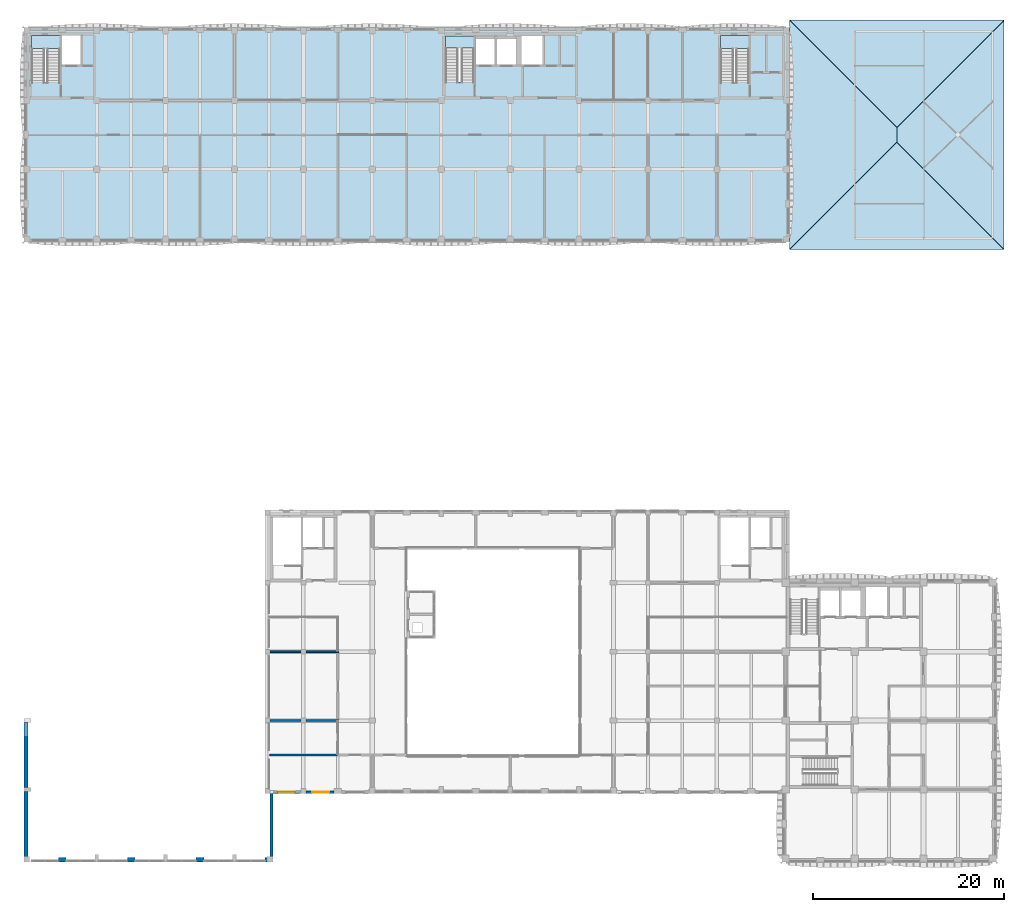
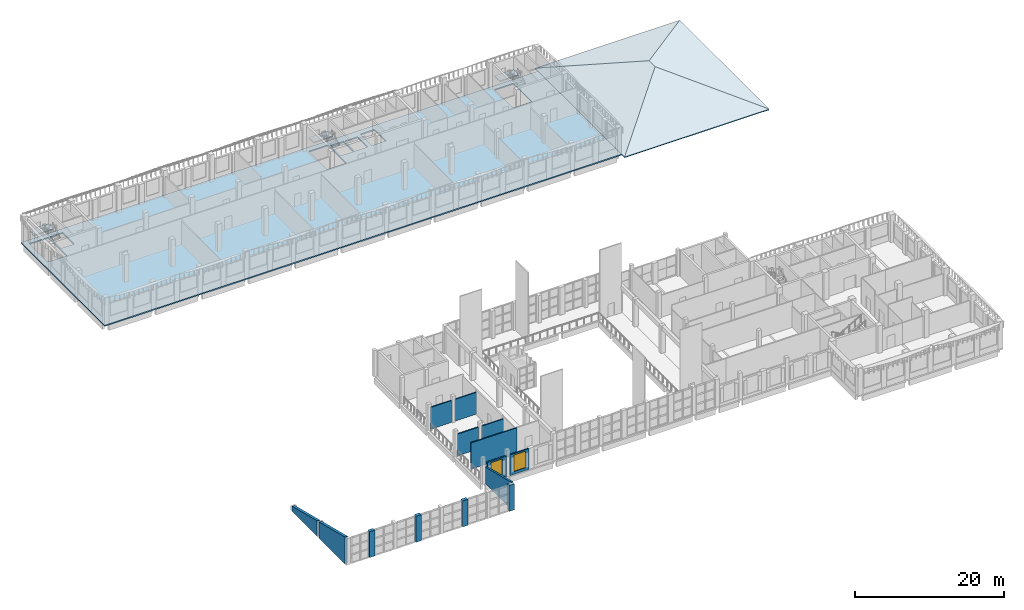
# One storey, part 17 of 54: 14 walls, 8 slabs, 2 windows, 2 openings, 3 elements without a shape of their own.
"""IFC4 building model written with IfcOpenShell, lengths in metres."""

from ifc_helpers import new_model, si_unit, direction, frame, frame_2d, origin, place, context, subcontext, project, spatial, polyline, rectangle, outline, extrude, material, layer, layer_set, type_object, element, fill, aggregate, save


model = new_model("IFC4")

# Units and contexts
model_context = context("Model", 3, precision=1e-05, world=origin(), true_north=direction((0.0, 1.0)))
body_context = subcontext(model_context, "Body", "Model", "MODEL_VIEW")
ifc_project = project(units=[si_unit("LENGTHUNIT", "METRE"), si_unit("AREAUNIT", "SQUARE_METRE"), si_unit("VOLUMEUNIT", "CUBIC_METRE"), si_unit("PLANEANGLEUNIT", "RADIAN"), si_unit("MASSUNIT", "GRAM", prefix="KILO")], contexts=[model_context])

# Site, building, storey
site_placement = place(None, origin())
site = spatial("IfcSite", under=ifc_project, at=site_placement, CompositionType="ELEMENT")
building_placement = place(site_placement, origin())
building = spatial("IfcBuilding", under=site, at=building_placement, Name="Ussher Court Research Institute", CompositionType="ELEMENT")
storey_placement = place(building_placement, frame((0.0, 0.0, 14.39990234375)))
storey = spatial("IfcBuildingStorey", under=building, at=storey_placement, Name="L03", CompositionType="ELEMENT", Elevation=14.39990234375)

# Slabs
ifc_material_1 = material(Name="Concrete C35/45", Category="concrete")
ifc_layer_1 = layer(ifc_material_1, 0.199951171875)
ifc_layer_set_1 = layer_set([ifc_layer_1], Name="Concrete C35/45")
slab_type_1 = type_object("IfcSlabType", Name="Floor slab 200", PredefinedType="FLOOR", material=ifc_layer_set_1)
slab_1_placement = place(storey_placement, frame((0.0, 0.0, -0.199951171875)))
element("IfcSlab", 1, at=slab_1_placement, inside=storey, type_object=slab_type_1, Name="FS200 V5 L03-01", PredefinedType="FLOOR", context=body_context, shape_type="SweptSolid", body=[
    extrude(outline(polyline([(82.60009765625, 90.800048828125), (2.60009765625, 90.800048828125), (2.60009765625, 68.39990234375), (82.60009765625, 68.39990234375), (82.60009765625, 90.800048828125)]), holes=[polyline([(3.39990234375, 85.050048828125), (3.39990234375, 90.0), (6.35009765625, 90.0), (6.35009765625, 85.050048828125), (3.39990234375, 85.050048828125)]), polyline([(46.64990234375, 85.10009765625), (46.64990234375, 89.949951171875), (49.60009765625, 89.949951171875), (49.60009765625, 85.10009765625), (46.64990234375, 85.10009765625)]), polyline([(51.800048828125, 86.89990234375), (49.800048828125, 86.89990234375), (49.800048828125, 89.60009765625), (51.800048828125, 89.60009765625), (51.800048828125, 86.89990234375)]), polyline([(54.0, 86.89990234375), (52.0, 86.89990234375), (52.0, 89.60009765625), (54.0, 89.60009765625), (54.0, 86.89990234375)]), polyline([(56.800048828125, 86.89990234375), (54.60009765625, 86.89990234375), (54.60009765625, 89.949951171875), (56.800048828125, 89.949951171875), (56.800048828125, 86.89990234375)]), polyline([(8.550048828125, 86.89990234375), (6.550048828125, 86.89990234375), (6.550048828125, 90.0), (8.550048828125, 90.0), (8.550048828125, 86.89990234375)]), polyline([(75.39990234375, 85.050048828125), (75.39990234375, 90.0), (78.35009765625, 90.0), (78.35009765625, 85.050048828125), (75.39990234375, 85.050048828125)])]), origin(), (0.0, 0.0, 1.0), 0.199951171875),
])
ifc_material_2 = material(Name="Concrete C35/45", Category="concrete")
ifc_layer_2 = layer(ifc_material_2, 0.179931640625)
ifc_layer_set_2 = layer_set([ifc_layer_2], Name="Concrete C35/45")
slab_type_2 = type_object("IfcSlabType", Name="Hipped roof plate 180", PredefinedType="ROOF", material=ifc_layer_set_2)
slab_2_placement = place(storey_placement, frame((82.60009765625, 67.60009765625, 0.0), z_axis=(0.0, -0.342035798071, 0.939686922777), x_axis=(1.0, 0.0, 0.0)))
element("IfcSlab", 2, at=slab_2_placement, inside=storey, type_object=slab_type_2, Name="HP180 V3 L03-01", PredefinedType="ROOF", context=body_context, shape_type="SweptSolid", body=[
    extrude(outline(polyline([(0.0, 0.0), (22.39990234375, 0.0), (11.199951171875, 11.918811361958056), (0.0, 0.0)])), origin(), (0.0, 0.0, -1.0), 0.179931640625),
])
slab_3_placement = place(storey_placement, frame((105.0, 67.60009765625, 0.0), z_axis=(0.342035798071, 0.0, 0.939686922777), x_axis=(0.0, 1.0, 0.0)))
element("IfcSlab", 3, at=slab_3_placement, inside=storey, type_object=slab_type_2, Name="HP180 V3 L03-02", PredefinedType="ROOF", context=body_context, shape_type="SweptSolid", body=[
    extrude(outline(polyline([(0.0, 0.0), (24.0, 0.0), (12.7998046875, 11.918811361958058), (11.199951171875, 11.918811361958058), (0.0, 0.0)])), origin(), (0.0, 0.0, -1.0), 0.179931640625),
])
slab_4_placement = place(storey_placement, frame((105.0, 91.60009765625, 0.0), z_axis=(0.0, 0.342029214614, 0.939689319057), x_axis=(-1.0, 0.0, 0.0)))
element("IfcSlab", 4, at=slab_4_placement, inside=storey, type_object=slab_type_2, Name="HP180 V3 L03-03", PredefinedType="ROOF", context=body_context, shape_type="SweptSolid", body=[
    extrude(outline(polyline([(0.0, 0.0), (22.39990234375, 0.0), (11.199951171875, 11.919040778003206), (0.0, 0.0)])), origin(), (0.0, 0.0, -1.0), 0.179931640625),
])
slab_5_placement = place(storey_placement, frame((82.60009765625, 91.60009765625, 0.0), z_axis=(-0.342035798071, 0.0, 0.939686922777), x_axis=(0.0, -1.0, 0.0)))
element("IfcSlab", 5, at=slab_5_placement, inside=storey, type_object=slab_type_2, Name="HP180 V3 L03-04", PredefinedType="ROOF", context=body_context, shape_type="SweptSolid", body=[
    extrude(outline(polyline([(0.0, 0.0), (24.0, 0.0), (12.800048828125, 11.918811361958058), (11.2001953125, 11.918811361958058), (0.0, 0.0)])), origin(), (0.0, 0.0, -1.0), 0.179931640625),
])

# Stair, slab
ifc_material_3 = material(Name="Concrete C35/45", Category="concrete")
stair_type_1 = type_object("IfcStairType", Name="Core stair 26 risers 173 mm x 300 going 1280 wide", PredefinedType="HALF_TURN_STAIR", material=ifc_material_3)
stair_1_placement = place(storey_placement, origin())
stair_1 = element("IfcStair", 6, at=stair_1_placement, inside=storey, type_object=stair_type_1, Name="L03 Stair D2", PredefinedType="HALF_TURN_STAIR")
ifc_material_4 = material(Name="Concrete C35/45", Category="concrete")
ifc_layer_3 = layer(ifc_material_4, 0.199951171875)
ifc_layer_set_3 = layer_set([ifc_layer_3], Name="Concrete C35/45")
slab_type_3 = type_object("IfcSlabType", Name="Stair landing 200 RC", PredefinedType="LANDING", material=ifc_layer_set_3)
slab_6_placement = place(storey_placement, frame((0.0, 0.0, 2.050048828125)))
slab_6 = element("IfcSlab", 7, at=slab_6_placement, type_object=slab_type_3, Name="D2 landing 1", PredefinedType="LANDING", context=body_context, shape_type="SweptSolid", body=[
    extrude(outline(polyline([(49.60009765625, 88.64990234375), (49.60009765625, 89.949951171875), (46.64990234375, 89.949951171875), (46.64990234375, 88.64990234375), (49.60009765625, 88.64990234375)])), origin(), (0.0, 0.0, 1.0), 0.199951171875),
])
aggregate(stair_1, [slab_6])

ifc_material_5 = material(Name="Concrete C35/45", Category="concrete")
stair_type_2 = type_object("IfcStairType", Name="Core stair 26 risers 173 mm x 300 going 1350 wide", PredefinedType="HALF_TURN_STAIR", material=ifc_material_5)
stair_2_placement = place(storey_placement, origin())
stair_2 = element("IfcStair", 8, at=stair_2_placement, inside=storey, type_object=stair_type_2, Name="L03 Stair D1", PredefinedType="HALF_TURN_STAIR")
ifc_material_6 = material(Name="Concrete C35/45", Category="concrete")
ifc_layer_4 = layer(ifc_material_6, 0.239990234375)
ifc_layer_set_4 = layer_set([ifc_layer_4], Name="Concrete C35/45")
slab_type_4 = type_object("IfcSlabType", Name="Stair landing 240 RC", PredefinedType="LANDING", material=ifc_layer_set_4)
slab_7_placement = place(storey_placement, frame((0.0, 0.0, 2.050048828125)))
slab_7 = element("IfcSlab", 9, at=slab_7_placement, type_object=slab_type_4, Name="D1 landing 1", PredefinedType="LANDING", context=body_context, shape_type="SweptSolid", body=[
    extrude(outline(polyline([(6.35009765625, 88.60009765625), (6.35009765625, 90.0), (3.39990234375, 90.0), (3.39990234375, 88.60009765625), (6.35009765625, 88.60009765625)])), origin(), (0.0, 0.0, 1.0), 0.199951171875),
])
aggregate(stair_2, [slab_7])

stair_3_placement = place(storey_placement, origin())
stair_3 = element("IfcStair", 10, at=stair_3_placement, inside=storey, type_object=stair_type_2, Name="L03 Stair D3", PredefinedType="HALF_TURN_STAIR")
slab_8_placement = place(storey_placement, frame((0.0, 0.0, 2.050048828125)))
slab_8 = element("IfcSlab", 11, at=slab_8_placement, type_object=slab_type_4, Name="D3 landing 1", PredefinedType="LANDING", context=body_context, shape_type="SweptSolid", body=[
    extrude(outline(polyline([(78.35009765625, 88.60009765625), (78.35009765625, 90.0), (75.39990234375, 90.0), (75.39990234375, 88.60009765625), (78.35009765625, 88.60009765625)])), origin(), (0.0, 0.0, 1.0), 0.199951171875),
])
aggregate(stair_3, [slab_8])

# Walls
ifc_material_7 = material(Name="Plasterboard on steel studs with mineral wool", Category="steel")
ifc_layer_5 = layer(ifc_material_7, 0.179931640625)
ifc_layer_set_5 = layer_set([ifc_layer_5], Name="Plasterboard on steel studs with mineral wool")
wall_type_1 = type_object("IfcWallType", Name="Acoustic twin-stud partition 180", PredefinedType="PARTITIONING", material=ifc_layer_set_5)
wall_1_placement = place(storey_placement, frame((28.300048828125, 14.800048828125, 0.0), z_axis=(0.0, 0.0, 1.0), x_axis=(1.0, 0.0, 0.0)))
element("IfcWall", 12, at=wall_1_placement, inside=storey, type_object=wall_type_1, Name="Partition", PredefinedType="PARTITIONING", context=body_context, shape_type="SweptSolid", body=[
    extrude(rectangle(XDim=7.099853515625, YDim=0.179931640625, at=frame_2d((3.5498046875, 0.0))), origin(), (0.0, 0.0, 1.0), 4.300048828125),
])
wall_2_placement = place(storey_placement, frame((28.300048828125, 18.39990234375, 0.0), z_axis=(0.0, 0.0, 1.0), x_axis=(1.0, 0.0, 0.0)))
element("IfcWall", 13, at=wall_2_placement, inside=storey, type_object=wall_type_1, Name="Partition", PredefinedType="PARTITIONING", context=body_context, shape_type="SweptSolid", body=[
    extrude(rectangle(XDim=3.25, YDim=0.179931640625, at=frame_2d((1.625, 0.0))), origin(), (0.0, 0.0, 1.0), 3.570068359375),
])
wall_3_placement = place(storey_placement, frame((32.050048828125, 18.39990234375, 0.0), z_axis=(0.0, 0.0, 1.0), x_axis=(1.0, 0.0, 0.0)))
element("IfcWall", 14, at=wall_3_placement, inside=storey, type_object=wall_type_1, Name="Partition", PredefinedType="PARTITIONING", context=body_context, shape_type="SweptSolid", body=[
    extrude(rectangle(XDim=3.43994140625, YDim=0.179931640625, at=frame_2d((1.719970703125, 0.0))), origin(), (0.0, 0.0, 1.0), 3.570068359375),
])
wall_4_placement = place(storey_placement, frame((28.300048828125, 25.60009765625, 0.0), z_axis=(0.0, 0.0, 1.0), x_axis=(1.0, 0.0, 0.0)))
element("IfcWall", 15, at=wall_4_placement, inside=storey, type_object=wall_type_1, Name="Partition", PredefinedType="PARTITIONING", context=body_context, shape_type="SweptSolid", body=[
    extrude(rectangle(XDim=3.25, YDim=0.179931640625, at=frame_2d((1.625, 0.0))), origin(), (0.0, 0.0, 1.0), 3.570068359375),
])
wall_5_placement = place(storey_placement, frame((32.050048828125, 25.60009765625, 0.0), z_axis=(0.0, 0.0, 1.0), x_axis=(1.0, 0.0, 0.0)))
element("IfcWall", 16, at=wall_5_placement, inside=storey, type_object=wall_type_1, Name="Partition", PredefinedType="PARTITIONING", context=body_context, shape_type="SweptSolid", body=[
    extrude(rectangle(XDim=3.43994140625, YDim=0.179931640625, at=frame_2d((1.719970703125, 0.0))), origin(), (0.0, 0.0, 1.0), 3.570068359375),
])
ifc_material_8 = material(Name="Concrete C35/45", Category="concrete")
ifc_layer_6 = layer(ifc_material_8, 0.419921875)
ifc_layer_set_6 = layer_set([ifc_layer_6], Name="Concrete C35/45")
wall_type_2 = type_object("IfcWallType", Name="Blind west wall 420 reinforced concrete limestone faced", PredefinedType="SOLIDWALL", material=ifc_layer_set_6)
wall_6_placement = place(storey_placement, frame((2.81005859375, 4.0, 0.0), z_axis=(0.0, 0.0, 1.0), x_axis=(0.0, 1.0, 0.0)))
element("IfcWall", 17, at=wall_6_placement, inside=storey, type_object=wall_type_2, Name="RC wall RW2 west", PredefinedType="SOLIDWALL", context=body_context, shape_type="SweptSolid", body=[
    extrude(outline(polyline([(0.0, 0.0), (6.97509765625, 0.0), (6.97509765625, 2.65625), (0.0, 4.400146484375), (0.0, 0.0)])), frame((0.0, 0.2099609375, 0.0), z_axis=(0.0, -1.0, 0.0), x_axis=(1.0, 0.0, 0.0)), (0.0, 0.0, 1.0), 0.419921875),
])
wall_7_placement = place(storey_placement, frame((2.81005859375, 11.425048828125, 0.0), z_axis=(0.0, 0.0, 1.0), x_axis=(0.0, 1.0, 0.0)))
element("IfcWall", 18, at=wall_7_placement, inside=storey, type_object=wall_type_2, Name="RC wall RW2 west", PredefinedType="SOLIDWALL", context=body_context, shape_type="SweptSolid", body=[
    extrude(outline(polyline([(0.0, 0.0), (6.75, 0.0), (6.75, 0.8564453125), (0.0, 2.5439453125), (0.0, 0.0)])), frame((0.0, 0.2099609375, 0.0), z_axis=(0.0, -1.0, 0.0), x_axis=(1.0, 0.0, 0.0)), (0.0, 0.0, 1.0), 0.419921875),
])

# Wall, opening, window
ifc_material_9 = material(Name="Limestone facing on insulated blockwork", Category="masonry")
ifc_layer_7 = layer(ifc_material_9, 0.219970703125)
ifc_layer_set_7 = layer_set([ifc_layer_7], Name="Limestone facing on insulated blockwork")
wall_type_3 = type_object("IfcWallType", Name="Link wall 220 limestone faced insulated block", PredefinedType="SOLIDWALL", material=ifc_layer_set_7)
wall_8_placement = place(storey_placement, frame((35.0, 10.909912109375, 0.0), z_axis=(0.0, 0.0, 1.0), x_axis=(-1.0, 0.0, 0.0)))
wall_8 = element("IfcWall", 19, at=wall_8_placement, inside=storey, type_object=wall_type_3, Name="External wall EW6 L03", PredefinedType="SOLIDWALL", context=body_context, shape_type="SweptSolid", body=[
    extrude(rectangle(XDim=2.949951171875, YDim=0.219970703125, at=frame_2d((1.47509765625, 0.0))), origin(), (0.0, 0.0, 1.0), 3.400146484375),
])
opening_1_placement = place(wall_8_placement, frame((0.5, 0.0, 0.449951171875)))
opening_1 = element("IfcOpeningElement", 20, at=opening_1_placement, cuts=wall_8, Name="Opening W20", PredefinedType="OPENING", context=body_context, shape_type="SweptSolid", body=[
    extrude(rectangle(XDim=1.800048828125, YDim=2.699951171875, at=frame_2d((0.89990234375, 1.35009765625))), frame((0.0, 0.1201171875, 0.0), z_axis=(0.0, -1.0, 0.0), x_axis=(1.0, 0.0, 0.0)), (0.0, 0.0, 1.0), 0.239990234375),
])
ifc_material_10 = material(Name="Bronze anodised aluminium with double glazing", Category="aluminium")
window_type = type_object("IfcWindowType", Name="Reading gallery window 1800x2700", PartitioningType="DOUBLE_PANEL_VERTICAL", PredefinedType="WINDOW", material=ifc_material_10)
window_1_placement = place(opening_1_placement, origin())
window_1 = element("IfcWindow", 21, at=window_1_placement, inside=storey, type_object=window_type, Name="Window W20 L03", OverallHeight=2.699951171875, OverallWidth=1.800048828125, PartitioningType="SINGLE_PANEL", PredefinedType="WINDOW", context=body_context, shape_type="SweptSolid", body=[
    extrude(rectangle(XDim=1.800048828125, YDim=2.699951171875, at=frame_2d((0.89990234375, 1.35009765625))), frame((0.0, 0.030029296875, 0.0), z_axis=(0.0, -1.0, 0.0), x_axis=(1.0, 0.0, 0.0)), (0.0, 0.0, 1.0), 0.06005859375),
])
fill(opening_1, window_1)

wall_9_placement = place(storey_placement, frame((31.550048828125, 10.909912109375, 0.0), z_axis=(0.0, 0.0, 1.0), x_axis=(-1.0, 0.0, 0.0)))
wall_9 = element("IfcWall", 22, at=wall_9_placement, inside=storey, type_object=wall_type_3, Name="External wall EW6 L03", PredefinedType="SOLIDWALL", context=body_context, shape_type="SweptSolid", body=[
    extrude(rectangle(XDim=2.949951171875, YDim=0.219970703125, at=frame_2d((1.47509765625, 0.0))), origin(), (0.0, 0.0, 1.0), 3.400146484375),
])
opening_2_placement = place(wall_9_placement, frame((0.64990234375, 0.0, 0.449951171875)))
opening_2 = element("IfcOpeningElement", 23, at=opening_2_placement, cuts=wall_9, Name="Opening W20", PredefinedType="OPENING", context=body_context, shape_type="SweptSolid", body=[
    extrude(rectangle(XDim=1.800048828125, YDim=2.699951171875, at=frame_2d((0.89990234375, 1.35009765625))), frame((0.0, 0.1201171875, 0.0), z_axis=(0.0, -1.0, 0.0), x_axis=(1.0, 0.0, 0.0)), (0.0, 0.0, 1.0), 0.239990234375),
])
window_2_placement = place(opening_2_placement, origin())
window_2 = element("IfcWindow", 24, at=window_2_placement, inside=storey, type_object=window_type, Name="Window W20 L03", OverallHeight=2.699951171875, OverallWidth=1.800048828125, PartitioningType="SINGLE_PANEL", PredefinedType="WINDOW", context=body_context, shape_type="SweptSolid", body=[
    extrude(rectangle(XDim=1.800048828125, YDim=2.699951171875, at=frame_2d((0.89990234375, 1.35009765625))), frame((0.0, 0.030029296875, 0.0), z_axis=(0.0, -1.0, 0.0), x_axis=(1.0, 0.0, 0.0)), (0.0, 0.0, 1.0), 0.06005859375),
])
fill(opening_2, window_2)

# Walls
ifc_material_11 = material(Name="Rusticated limestone facing on blockwork", Category="masonry")
ifc_layer_8 = layer(ifc_material_11, 0.5)
ifc_layer_set_8 = layer_set([ifc_layer_8], Name="Rusticated limestone facing on blockwork")
wall_type_4 = type_object("IfcWallType", Name="Pier 800x500 rusticated limestone", PredefinedType="SOLIDWALL", material=ifc_layer_set_8)
wall_10_placement = place(storey_placement, frame((28.60009765625, 3.85009765625, 0.0), z_axis=(0.0, 0.0, 1.0), x_axis=(-1.0, 0.0, 0.0)))
element("IfcWall", 25, at=wall_10_placement, inside=storey, type_object=wall_type_4, Name="Pier PR2 L03", PredefinedType="SOLIDWALL", context=body_context, shape_type="SweptSolid", body=[
    extrude(rectangle(XDim=0.800048828125, YDim=0.5, at=frame_2d((0.39990234375, 0.0))), origin(), (0.0, 0.0, 1.0), 4.25),
])
wall_11_placement = place(storey_placement, frame((21.39990234375, 3.85009765625, 0.0), z_axis=(0.0, 0.0, 1.0), x_axis=(-1.0, 0.0, 0.0)))
element("IfcWall", 26, at=wall_11_placement, inside=storey, type_object=wall_type_4, Name="Pier PR2 L03", PredefinedType="SOLIDWALL", context=body_context, shape_type="SweptSolid", body=[
    extrude(rectangle(XDim=0.7998046875, YDim=0.5, at=frame_2d((0.39990234375, 0.0))), origin(), (0.0, 0.0, 1.0), 4.25),
])
for number, where, z_axis, x_axis, name in (
    (27, (14.199951171875, 3.85009765625, 0.0), (0.0, 0.0, 1.0), (-1.0, 0.0, 0.0), "Pier PR2 L03"),
    (28, (7.0, 3.85009765625, 0.0), (0.0, 0.0, 1.0), (-1.0, 0.0, 0.0), "Pier PR2 L03"),
):
    element("IfcWall", number, at=place(storey_placement, frame(where, z_axis=z_axis, x_axis=x_axis)), inside=storey, type_object=wall_type_4, Name=name, PredefinedType="SOLIDWALL", context=body_context, shape_type="SweptSolid", body=[
        extrude(rectangle(XDim=0.800048828125, YDim=0.5, at=frame_2d((0.39990234375, 0.0))), origin(), (0.0, 0.0, 1.0), 4.25),
    ])
ifc_material_12 = material(Name="Concrete C35/45", Category="concrete")
ifc_layer_9 = layer(ifc_material_12, 0.300048828125)
ifc_layer_set_9 = layer_set([ifc_layer_9], Name="Concrete C35/45")
wall_type_5 = type_object("IfcWallType", Name="RC wall 300 limestone faced", PredefinedType="SOLIDWALL", material=ifc_layer_set_9)
wall_12_placement = place(storey_placement, frame((28.449951171875, 10.949951171875, 0.0), z_axis=(0.0, 0.0, 1.0), x_axis=(0.0, -1.0, 0.0)))
element("IfcWall", 29, at=wall_12_placement, inside=storey, type_object=wall_type_5, Name="RC wall RW1 east", PredefinedType="SOLIDWALL", context=body_context, shape_type="SweptSolid", body=[
    extrude(outline(polyline([(0.0, 0.0), (6.949951171875, 0.0), (6.949951171875, 4.400146484375), (0.0, 2.66259765625), (0.0, 0.0)])), frame((0.0, 0.14990234375, 0.0), z_axis=(0.0, -1.0, 0.0), x_axis=(1.0, 0.0, 0.0)), (0.0, 0.0, 1.0), 0.300048828125),
])

save(model, "model.ifc")
